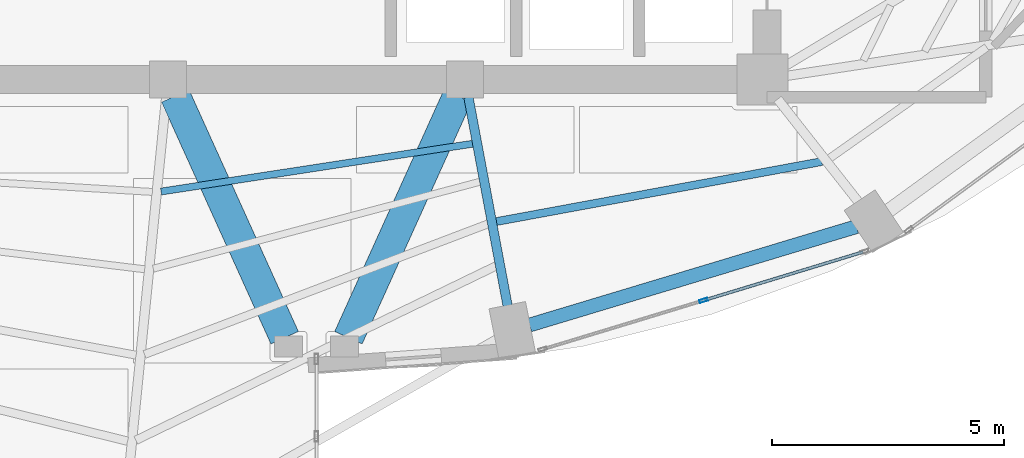
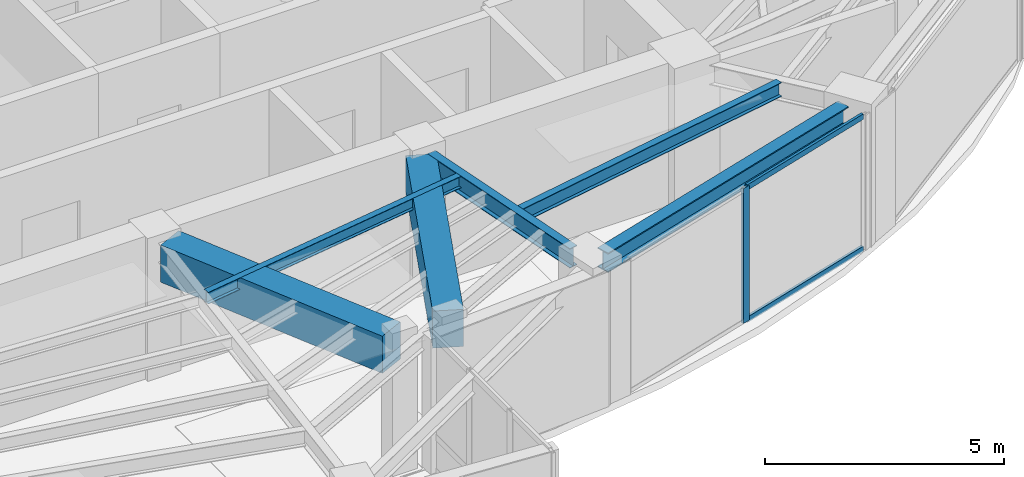
# One storey, part 7 of 23: 6 beams, 3 members, 1 element without a shape of its own.
"""IFC4 building model written with IfcOpenShell, lengths in metres."""

from ifc_helpers import new_model, si_unit, direction, frame, origin, origin_2d, place, context, subcontext, project, spatial, rectangle, hollow_rectangle, i_section, extrude, material, layer, layer_set, material_profile, profile_set, type_object, element, aggregate, save


model = new_model("IFC4")

# Units and contexts
model_context = context("Model", 3, precision=1e-05, world=origin(), true_north=direction((0.0, 1.0)))
body_context = subcontext(model_context, "Body", "Model", "MODEL_VIEW")
ifc_project = project(units=[si_unit("LENGTHUNIT", "METRE"), si_unit("AREAUNIT", "SQUARE_METRE"), si_unit("VOLUMEUNIT", "CUBIC_METRE"), si_unit("PLANEANGLEUNIT", "RADIAN"), si_unit("MASSUNIT", "GRAM", prefix="KILO")], contexts=[model_context])

# Site, building, storey
site_placement = place(None, origin())
site = spatial("IfcSite", under=ifc_project, at=site_placement, CompositionType="ELEMENT")
building_placement = place(site_placement, origin())
building = spatial("IfcBuilding", under=site, at=building_placement, Name="Lazwardi Medical Tower", CompositionType="ELEMENT")
storey_placement = place(building_placement, frame((0.0, 0.0, 205.77587890625)))
storey = spatial("IfcBuildingStorey", under=building, at=storey_placement, Name="L53", CompositionType="ELEMENT", Elevation=205.77587890625)

# Beams
ifc_material_1 = material(Name="Concrete C60/75", Category="concrete")
ifc_material_profile_1 = material_profile(ifc_material_1, rectangle(XDim=0.64990234375, YDim=0.949951171875, at=origin_2d()), Name="RC 650x950")
ifc_profile_set_1 = profile_set([ifc_material_profile_1], Name="Concrete C60/75")
beam_type_1 = type_object("IfcBeamType", Name="BM-CB-RC2", PredefinedType="LINTEL", material=ifc_profile_set_1)
for number, where, z_axis, x_axis, name in (
    (1, (32.95849609375, 20.04931640625, 2.97314453125), (0.412019279944, -0.911175127489, 0.0), (0.911175127489, 0.412019279944, 0.0), "Core coupling lintel CB-02 PL3 L53"),
    (2, (39.04150390625, 20.04931640625, 2.97314453125), (-0.412019279944, -0.911175127489, 0.0), (0.911175127489, -0.412019279944, 0.0), "Core coupling lintel CB-02 PL4 L53"),
):
    element("IfcBeam", number, at=place(storey_placement, frame(where, z_axis=z_axis, x_axis=x_axis)), inside=storey, type_object=beam_type_1, Name=name, PredefinedType="LINTEL", context=body_context, shape_type="SweptSolid", body=[
        extrude(rectangle(XDim=0.64990234375, YDim=0.949951171875, at=origin_2d()), origin(), (0.0, 0.0, 1.0), 5.7158203125),
    ])
ifc_material_2 = material(Name="Steel S355", Category="steel")
ifc_material_profile_2 = material_profile(ifc_material_2, i_section(OverallWidth=0.300048828125, OverallDepth=0.5, WebThickness=0.014404296875, FlangeThickness=0.028076171875, at=origin_2d()), Name="HEB 500")
ifc_profile_set_2 = profile_set([ifc_material_profile_2], Name="Steel S355")
beam_type_2 = type_object("IfcBeamType", Name="BM-RB-Z4", PredefinedType="BEAM", material=ifc_profile_set_2)
beam_1_placement = place(storey_placement, frame((40.58740234375, 15.114013671875, 3.1982421875), z_axis=(0.957544311906, 0.288286126506, 0.0), x_axis=(-0.288286126506, 0.957544311906, 0.0)))
element("IfcBeam", 3, at=beam_1_placement, inside=storey, type_object=beam_type_2, Name="Ring beam RB-05 B01 L53", PredefinedType="BEAM", context=body_context, shape_type="SweptSolid", body=[
    extrude(i_section(OverallWidth=0.300048828125, OverallDepth=0.5, WebThickness=0.014404296875, FlangeThickness=0.028076171875, at=origin_2d()), origin(), (0.0, 0.0, 1.0), 7.3515625),
])
ifc_material_profile_3 = material_profile(ifc_material_2, i_section(OverallWidth=0.199951171875, OverallDepth=0.5, WebThickness=0.01025390625, FlangeThickness=0.01611328125, at=origin_2d()), Name="IPE 500")
ifc_profile_set_3 = profile_set([ifc_material_profile_3], Name="Steel S355")
beam_type_3 = type_object("IfcBeamType", Name="BM-RG-W3", PredefinedType="BEAM", material=ifc_profile_set_3)
beam_2_placement = place(storey_placement, frame((40.115234375, 15.527587890625, 3.1982421875), z_axis=(-0.184633463507, 0.982807450192, 0.0), x_axis=(-0.982807450192, -0.184633463507, 0.0)))
element("IfcBeam", 4, at=beam_2_placement, inside=storey, type_object=beam_type_3, Name="Radial girder RG-04 R01 L53", PredefinedType="BEAM", context=body_context, shape_type="SweptSolid", body=[
    extrude(i_section(OverallWidth=0.199951171875, OverallDepth=0.5, WebThickness=0.01025390625, FlangeThickness=0.01611328125, at=origin_2d()), origin(), (0.0, 0.0, 1.0), 4.572509765625),
])
ifc_material_profile_4 = material_profile(ifc_material_2, i_section(OverallWidth=0.169921875, OverallDepth=0.360107421875, WebThickness=0.008056640625, FlangeThickness=0.0126953125, at=origin_2d()), Name="IPE 360")
ifc_profile_set_4 = profile_set([ifc_material_profile_4], Name="Steel S355")
beam_type_4 = type_object("IfcBeamType", Name="BM-SJ-02", PredefinedType="JOIST", material=ifc_profile_set_4)
beam_3_placement = place(storey_placement, frame((39.87109375, 17.34228515625, 3.26806640625), z_axis=(0.983427965623, 0.181299300688, 0.0), x_axis=(-0.181299300688, 0.983427965623, 0.0)))
element("IfcBeam", 5, at=beam_3_placement, inside=storey, type_object=beam_type_4, Name="Secondary joist SJ-02 R2 B01 L53", PredefinedType="JOIST", context=body_context, shape_type="SweptSolid", body=[
    extrude(i_section(OverallWidth=0.169921875, OverallDepth=0.360107421875, WebThickness=0.008056640625, FlangeThickness=0.0126953125, at=origin_2d()), origin(), (0.0, 0.0, 1.0), 7.127685546875),
])
ifc_material_profile_5 = material_profile(ifc_material_2, i_section(OverallWidth=0.14990234375, OverallDepth=0.300048828125, WebThickness=0.007080078125, FlangeThickness=0.0107421875, at=origin_2d()), Name="IPE 300")
ifc_profile_set_5 = profile_set([ifc_material_profile_5], Name="Steel S355")
beam_type_5 = type_object("IfcBeamType", Name="BM-SJ-03", PredefinedType="JOIST", material=ifc_profile_set_5)
beam_4_placement = place(storey_placement, frame((32.652587890625, 17.989013671875, 3.298095703125), z_axis=(0.988433562862, 0.151654514629, 0.0), x_axis=(-0.151654514629, 0.988433562862, 0.0)))
element("IfcBeam", 6, at=beam_4_placement, inside=storey, type_object=beam_type_5, Name="Secondary joist SJ-03 R4 B16 L53", PredefinedType="JOIST", context=body_context, shape_type="SweptSolid", body=[
    extrude(i_section(OverallWidth=0.14990234375, OverallDepth=0.300048828125, WebThickness=0.007080078125, FlangeThickness=0.0107421875, at=origin_2d()), origin(), (0.0, 0.0, 1.0), 6.788818359375),
])

# Curtain wall, members
ifc_material_3 = material(Name="Anodised bronze aluminium and solar control glazing", Category="aluminium")
ifc_layer = layer(ifc_material_3, 0.18994140625)
ifc_layer_set = layer_set([ifc_layer], Name="Anodised bronze aluminium and solar control glazing")
curtain_wall_type = type_object("IfcCurtainWallType", Name="CW-SYS-04", PredefinedType="NOTDEFINED", material=ifc_layer_set)
curtain_wall_placement = place(storey_placement, origin())
curtain_wall = element("IfcCurtainWall", 7, at=curtain_wall_placement, inside=storey, type_object=curtain_wall_type, Name="L53 Unitised bronze curtain wall CW-04", PredefinedType="NOTDEFINED")
ifc_material_4 = material(Name="Anodised bronze aluminium", Category="aluminium")
ifc_material_profile_6 = material_profile(ifc_material_4, hollow_rectangle(XDim=0.06494140625, YDim=0.179931640625, WallThickness=0.00390625, at=origin_2d()), Name="ALU-MULLION 180x65x4")
ifc_profile_set_6 = profile_set([ifc_material_profile_6], Name="Anodised bronze aluminium")
member_type_1 = type_object("IfcMemberType", Name="CW-MUL-03", PredefinedType="MULLION", material=ifc_profile_set_6)
member_1_placement = place(storey_placement, frame((44.33642578125, 15.644775390625, 0.0), z_axis=(0.0, 0.0, 1.0), x_axis=(-0.290581889515, 0.956850126972, 0.0)))
member_1 = element("IfcMember", 8, at=member_1_placement, type_object=member_type_1, Name="CW-04 mullion 2", PredefinedType="MULLION", context=body_context, shape_type="SweptSolid", body=[
    extrude(hollow_rectangle(XDim=0.06494140625, YDim=0.179931640625, WallThickness=0.00390625, at=origin_2d()), origin(), (0.0, 0.0, 1.0), 3.4482421875),
])
ifc_material_profile_7 = material_profile(ifc_material_4, hollow_rectangle(XDim=0.06494140625, YDim=0.139892578125, WallThickness=0.00341796875, at=origin_2d()), Name="ALU-TRANSOM 140x65x3.5")
ifc_profile_set_7 = profile_set([ifc_material_profile_7], Name="Anodised bronze aluminium")
member_type_2 = type_object("IfcMemberType", Name="CW-TRN-03", PredefinedType="USERDEFINED", material=ifc_profile_set_7)
member_2_placement = place(storey_placement, frame((44.367431640625, 15.654052734375, 0.03271484375), z_axis=(0.956843409009, 0.290604010015, 0.0), x_axis=(-0.290604010015, 0.956843409009, 0.0)))
member_2 = element("IfcMember", 9, at=member_2_placement, type_object=member_type_2, Name="CW-04 transom 2.1", ObjectType="TRANSOM", PredefinedType="USERDEFINED", context=body_context, shape_type="SweptSolid", body=[
    extrude(hollow_rectangle(XDim=0.06494140625, YDim=0.139892578125, WallThickness=0.00341796875, at=origin_2d()), origin(), (0.0, 0.0, 1.0), 3.554443359375),
])
member_3_placement = place(storey_placement, frame((44.367431640625, 15.654052734375, 3.41552734375), z_axis=(0.956843409009, 0.290604010015, 0.0), x_axis=(-0.290604010015, 0.956843409009, 0.0)))
member_3 = element("IfcMember", 10, at=member_3_placement, type_object=member_type_2, Name="CW-04 transom 2.2", ObjectType="TRANSOM", PredefinedType="USERDEFINED", context=body_context, shape_type="SweptSolid", body=[
    extrude(hollow_rectangle(XDim=0.06494140625, YDim=0.139892578125, WallThickness=0.00341796875, at=origin_2d()), origin(), (0.0, 0.0, 1.0), 3.554443359375),
])
aggregate(curtain_wall, [member_1, member_2, member_3])

save(model, "model.ifc")
